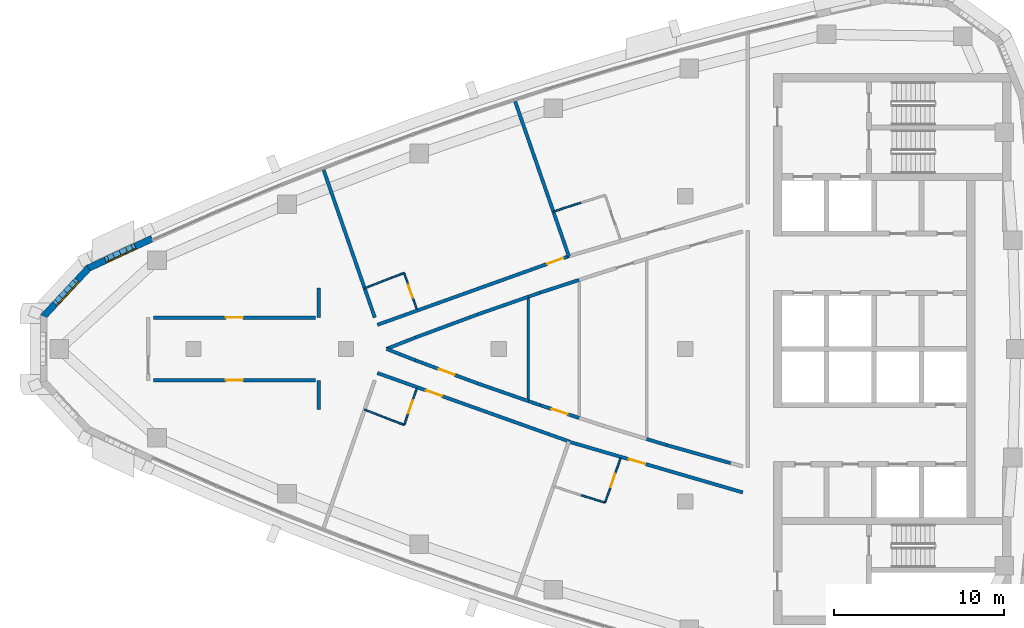
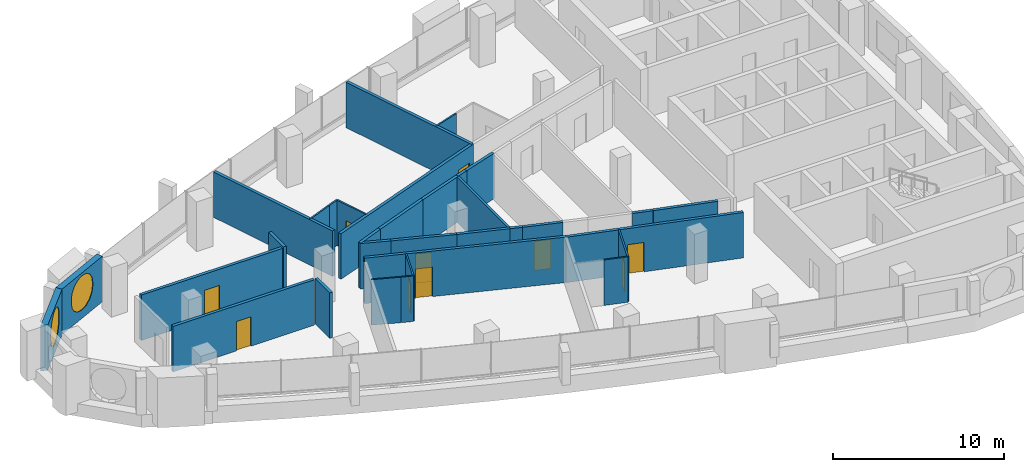
# One storey, part 7 of 14: 33 walls, 10 doors, 2 windows, 12 openings.
"""IFC4 building model written with IfcOpenShell, lengths in metres."""

from ifc_helpers import new_model, si_unit, direction, frame, frame_2d, origin, place, context, subcontext, project, spatial, polyline, rectangle, outline, extrude, material, layer, layer_set, type_object, element, fill, save


model = new_model("IFC4")

# Units and contexts
model_context = context("Model", 3, precision=1e-05, world=origin(), true_north=direction((0.0, 1.0)))
body_context = subcontext(model_context, "Body", "Model", "MODEL_VIEW")
ifc_project = project(units=[si_unit("LENGTHUNIT", "METRE"), si_unit("AREAUNIT", "SQUARE_METRE"), si_unit("VOLUMEUNIT", "CUBIC_METRE"), si_unit("PLANEANGLEUNIT", "RADIAN"), si_unit("MASSUNIT", "GRAM", prefix="KILO")], contexts=[model_context])

# Site, building, storey
site_placement = place(None, origin())
site = spatial("IfcSite", under=ifc_project, at=site_placement, CompositionType="ELEMENT")
building_placement = place(site_placement, origin())
building = spatial("IfcBuilding", under=site, at=building_placement, Name="Ostrand Prow Hotel Tower", CompositionType="ELEMENT")
storey_placement = place(building_placement, frame((0.0, 0.0, 275.0)))
storey = spatial("IfcBuildingStorey", under=building, at=storey_placement, Name="L69", CompositionType="ELEMENT", Elevation=275.0)

# Walls
ifc_material_1 = material(Name="Plasterboard partition")
ifc_layer_1 = layer(ifc_material_1, 0.10009765625)
ifc_layer_set_1 = layer_set([ifc_layer_1], Name="Plasterboard partition")
wall_type_1 = type_object("IfcWallType", Name="Partition 100 bathroom wall", PredefinedType="PARTITIONING", material=ifc_layer_set_1)
wall_1_placement = place(storey_placement, frame((26.095703125, 3.576171875, 0.0), z_axis=(0.0, 0.0, 1.0), x_axis=(0.930254925629, 0.366913850028, 0.0)))
element("IfcWall", 1, at=wall_1_placement, inside=storey, type_object=wall_type_1, Name="BATHROOM WALL", PredefinedType="PARTITIONING", context=body_context, shape_type="SweptSolid", body=[
    extrude(rectangle(XDim=1.760009765625, YDim=0.10009765625, at=frame_2d((0.8798828125, 0.0))), origin(), (0.0, 0.0, 1.0), 3.25),
])
wall_2_placement = place(storey_placement, frame((27.73291015625, 4.221923828125, 0.0), z_axis=(0.0, 0.0, 1.0), x_axis=(0.937514267289, 0.347946833049, 0.0)))
element("IfcWall", 2, at=wall_2_placement, inside=storey, type_object=wall_type_1, Name="BATHROOM WALL", PredefinedType="PARTITIONING", context=body_context, shape_type="SweptSolid", body=[
    extrude(rectangle(XDim=0.74169921875, YDim=0.10009765625, at=frame_2d((0.370849609375, 0.0))), origin(), (0.0, 0.0, 1.0), 3.25),
])

# Wall, opening, door
wall_3_placement = place(storey_placement, frame((28.42822265625, 4.47998046875, 0.0), z_axis=(0.0, 0.0, 1.0), x_axis=(0.327718024288, -0.944775579996, 0.0)))
wall_3 = element("IfcWall", 3, at=wall_3_placement, inside=storey, type_object=wall_type_1, Name="BATHROOM WALL", PredefinedType="PARTITIONING", context=body_context, shape_type="SweptSolid", body=[
    extrude(rectangle(XDim=2.27734375, YDim=0.10009765625, at=frame_2d((1.138671875, 0.0))), origin(), (0.0, 0.0, 1.0), 3.25),
])
opening_1_placement = place(wall_3_placement, frame((0.75, 0.0, 0.0)))
opening_1 = element("IfcOpeningElement", 4, at=opening_1_placement, cuts=wall_3, Name="Opening D2", PredefinedType="OPENING", context=body_context, shape_type="SweptSolid", body=[
    extrude(rectangle(XDim=0.800048828125, YDim=2.10009765625, at=frame_2d((0.39990234375, 1.050048828125))), frame((0.0, 0.06005859375, 0.0), z_axis=(0.0, -1.0, 0.0), x_axis=(1.0, 0.0, 0.0)), (0.0, 0.0, 1.0), 0.1201171875),
])
ifc_material_2 = material(Name="Timber door leaf", Category="wood")
door_type_1 = type_object("IfcDoorType", Name="Bathroom door 800", OperationType="SINGLE_SWING_LEFT", PredefinedType="DOOR", material=ifc_material_2)
door_1_placement = place(opening_1_placement, origin())
door_1 = element("IfcDoor", 5, at=door_1_placement, inside=storey, type_object=door_type_1, Name="DOOR", OperationType="SINGLE_SWING_LEFT", OverallHeight=2.10009765625, OverallWidth=0.800048828125, PredefinedType="DOOR", context=body_context, shape_type="SweptSolid", body=[
    extrude(rectangle(XDim=0.800048828125, YDim=2.10009765625, at=frame_2d((0.39990234375, 1.050048828125))), frame((0.0, 0.02490234375, 0.0), z_axis=(0.0, -1.0, 0.0), x_axis=(1.0, 0.0, 0.0)), (0.0, 0.0, 1.0), 0.050048828125),
])
fill(opening_1, door_1)

# Wall
wall_4_placement = place(storey_placement, frame((37.228515625, 8.09814453125, 0.0), z_axis=(0.0, 0.0, 1.0), x_axis=(0.950684866901, 0.31015848182, 0.0)))
element("IfcWall", 6, at=wall_4_placement, inside=storey, type_object=wall_type_1, Name="BATHROOM WALL", PredefinedType="PARTITIONING", context=body_context, shape_type="SweptSolid", body=[
    extrude(rectangle(XDim=1.739501953125, YDim=0.10009765625, at=frame_2d((0.86962890625, 0.0))), origin(), (0.0, 0.0, 1.0), 3.25),
])

# Wall, opening, door
wall_5_placement = place(storey_placement, frame((29.174560546875, -2.328369140625, 0.0), z_axis=(0.0, 0.0, 1.0), x_axis=(-0.327718024288, -0.944775579996, 0.0)))
wall_5 = element("IfcWall", 7, at=wall_5_placement, inside=storey, type_object=wall_type_1, Name="BATHROOM WALL", PredefinedType="PARTITIONING", context=body_context, shape_type="SweptSolid", body=[
    extrude(rectangle(XDim=2.27734375, YDim=0.10009765625, at=frame_2d((1.138671875, 0.0))), origin(), (0.0, 0.0, 1.0), 3.25),
])
opening_2_placement = place(wall_5_placement, frame((0.75, 0.0, 0.0)))
opening_2 = element("IfcOpeningElement", 8, at=opening_2_placement, cuts=wall_5, Name="Opening D2", PredefinedType="OPENING", context=body_context, shape_type="SweptSolid", body=[
    extrude(rectangle(XDim=0.800048828125, YDim=2.10009765625, at=frame_2d((0.39990234375, 1.050048828125))), frame((0.0, 0.06005859375, 0.0), z_axis=(0.0, -1.0, 0.0), x_axis=(1.0, 0.0, 0.0)), (0.0, 0.0, 1.0), 0.1201171875),
])
door_2_placement = place(opening_2_placement, origin())
door_2 = element("IfcDoor", 9, at=door_2_placement, inside=storey, type_object=door_type_1, Name="DOOR", OperationType="SINGLE_SWING_LEFT", OverallHeight=2.10009765625, OverallWidth=0.800048828125, PredefinedType="DOOR", context=body_context, shape_type="SweptSolid", body=[
    extrude(rectangle(XDim=0.800048828125, YDim=2.10009765625, at=frame_2d((0.39990234375, 1.050048828125))), frame((0.0, 0.02490234375, 0.0), z_axis=(0.0, -1.0, 0.0), x_axis=(1.0, 0.0, 0.0)), (0.0, 0.0, 1.0), 0.050048828125),
])
fill(opening_2, door_2)

# Walls
wall_6_placement = place(storey_placement, frame((28.42822265625, -4.47998046875, 0.0), z_axis=(0.0, 0.0, 1.0), x_axis=(-0.937514267289, 0.347946833049, 0.0)))
element("IfcWall", 10, at=wall_6_placement, inside=storey, type_object=wall_type_1, Name="BATHROOM WALL", PredefinedType="PARTITIONING", context=body_context, shape_type="SweptSolid", body=[
    extrude(rectangle(XDim=0.74169921875, YDim=0.10009765625, at=frame_2d((0.370849609375, 0.0))), origin(), (0.0, 0.0, 1.0), 3.25),
])
wall_7_placement = place(storey_placement, frame((27.73291015625, -4.221923828125, 0.0), z_axis=(0.0, 0.0, 1.0), x_axis=(-0.930254925629, 0.366913850028, 0.0)))
element("IfcWall", 11, at=wall_7_placement, inside=storey, type_object=wall_type_1, Name="BATHROOM WALL", PredefinedType="PARTITIONING", context=body_context, shape_type="SweptSolid", body=[
    extrude(rectangle(XDim=1.760009765625, YDim=0.10009765625, at=frame_2d((0.8798828125, 0.0))), origin(), (0.0, 0.0, 1.0), 3.25),
])

# Wall, opening, door
wall_8_placement = place(storey_placement, frame((41.191650390625, -6.437255859375, 0.0), z_axis=(0.0, 0.0, 1.0), x_axis=(-0.327695885805, -0.944783258968, 0.0)))
wall_8 = element("IfcWall", 12, at=wall_8_placement, inside=storey, type_object=wall_type_1, Name="BATHROOM WALL", PredefinedType="PARTITIONING", context=body_context, shape_type="SweptSolid", body=[
    extrude(rectangle(XDim=2.779052734375, YDim=0.10009765625, at=frame_2d((1.3896484375, 0.0))), origin(), (0.0, 0.0, 1.0), 3.25),
])
opening_3_placement = place(wall_8_placement, frame((1.0, 0.0, 0.0)))
opening_3 = element("IfcOpeningElement", 13, at=opening_3_placement, cuts=wall_8, Name="Opening D2", PredefinedType="OPENING", context=body_context, shape_type="SweptSolid", body=[
    extrude(rectangle(XDim=0.800048828125, YDim=2.10009765625, at=frame_2d((0.39990234375, 1.050048828125))), frame((0.0, 0.06005859375, 0.0), z_axis=(0.0, -1.0, 0.0), x_axis=(1.0, 0.0, 0.0)), (0.0, 0.0, 1.0), 0.1201171875),
])
door_3_placement = place(opening_3_placement, origin())
door_3 = element("IfcDoor", 14, at=door_3_placement, inside=storey, type_object=door_type_1, Name="DOOR", OperationType="SINGLE_SWING_LEFT", OverallHeight=2.10009765625, OverallWidth=0.800048828125, PredefinedType="DOOR", context=body_context, shape_type="SweptSolid", body=[
    extrude(rectangle(XDim=0.800048828125, YDim=2.10009765625, at=frame_2d((0.39990234375, 1.050048828125))), frame((0.0, 0.02490234375, 0.0), z_axis=(0.0, -1.0, 0.0), x_axis=(1.0, 0.0, 0.0)), (0.0, 0.0, 1.0), 0.050048828125),
])
fill(opening_3, door_3)

# Walls
wall_9_placement = place(storey_placement, frame((40.28076171875, -9.06298828125, 0.0), z_axis=(0.0, 0.0, 1.0), x_axis=(-0.956734544447, 0.290962216555, 0.0)))
element("IfcWall", 15, at=wall_9_placement, inside=storey, type_object=wall_type_1, Name="BATHROOM WALL", PredefinedType="PARTITIONING", context=body_context, shape_type="SweptSolid", body=[
    extrude(rectangle(XDim=1.461669921875, YDim=0.10009765625, at=frame_2d((0.73095703125, 0.0))), origin(), (0.0, 0.0, 1.0), 3.25),
])
ifc_material_3 = material(Name="Plasterboard partition")
ifc_layer_2 = layer(ifc_material_3, 0.14990234375)
ifc_layer_set_2 = layer_set([ifc_layer_2], Name="Plasterboard partition")
wall_type_2 = type_object("IfcWallType", Name="Partition 150 room partition", PredefinedType="PARTITIONING", material=ifc_layer_set_2)
wall_10_placement = place(storey_placement, frame((35.746337890625, -3.075927734375, 0.0), z_axis=(0.0, 0.0, 1.0), x_axis=(0.0, 1.0, 0.0)))
element("IfcWall", 16, at=wall_10_placement, inside=storey, type_object=wall_type_2, Name="ROOM PARTITION", PredefinedType="PARTITIONING", context=body_context, shape_type="SweptSolid", body=[
    extrude(rectangle(XDim=6.15185546875, YDim=0.14990234375, at=frame_2d((3.075927734375, 0.0))), origin(), (0.0, 0.0, 1.0), 3.25),
])

# Wall, opening, door
ifc_material_4 = material(Name="Plasterboard partition")
ifc_layer_3 = layer(ifc_material_4, 0.199951171875)
ifc_layer_set_3 = layer_set([ifc_layer_3], Name="Plasterboard partition")
wall_type_3 = type_object("IfcWallType", Name="Partition 200 corridor wall", PredefinedType="PARTITIONING", material=ifc_layer_set_3)
wall_11_placement = place(storey_placement, frame((13.63720703125, 1.85009765625, 0.0), z_axis=(0.0, 0.0, 1.0), x_axis=(1.0, 0.0, 0.0)))
wall_11 = element("IfcWall", 17, at=wall_11_placement, inside=storey, type_object=wall_type_3, Name="CORRIDOR WALL", PredefinedType="PARTITIONING", context=body_context, shape_type="SweptSolid", body=[
    extrude(rectangle(XDim=9.548583984375, YDim=0.199951171875, at=frame_2d((4.7744140625, 0.0))), origin(), (0.0, 0.0, 1.0), 3.25),
])
opening_4_placement = place(wall_11_placement, frame((4.2744140625, 0.0, 0.0)))
opening_4 = element("IfcOpeningElement", 18, at=opening_4_placement, cuts=wall_11, Name="Opening D1", PredefinedType="OPENING", context=body_context, shape_type="SweptSolid", body=[
    extrude(rectangle(XDim=1.0, YDim=2.10009765625, at=frame_2d((0.5, 1.050048828125))), frame((0.0, 0.10986328125, 0.0), z_axis=(0.0, -1.0, 0.0), x_axis=(1.0, 0.0, 0.0)), (0.0, 0.0, 1.0), 0.219970703125),
])
ifc_material_5 = material(Name="Timber door leaf", Category="wood")
door_type_2 = type_object("IfcDoorType", Name="Guest room door 1000", OperationType="SINGLE_SWING_LEFT", PredefinedType="DOOR", material=ifc_material_5)
door_4_placement = place(opening_4_placement, origin())
door_4 = element("IfcDoor", 19, at=door_4_placement, inside=storey, type_object=door_type_2, Name="DOOR", OperationType="SINGLE_SWING_LEFT", OverallHeight=2.10009765625, OverallWidth=1.0, PredefinedType="DOOR", context=body_context, shape_type="SweptSolid", body=[
    extrude(rectangle(XDim=1.0, YDim=2.10009765625, at=frame_2d((0.5, 1.050048828125))), frame((0.0, 0.02490234375, 0.0), z_axis=(0.0, -1.0, 0.0), x_axis=(1.0, 0.0, 0.0)), (0.0, 0.0, 1.0), 0.050048828125),
])
fill(opening_4, door_4)

wall_12_placement = place(storey_placement, frame((13.63720703125, -1.85009765625, 0.0), z_axis=(0.0, 0.0, 1.0), x_axis=(1.0, 0.0, 0.0)))
wall_12 = element("IfcWall", 20, at=wall_12_placement, inside=storey, type_object=wall_type_3, Name="CORRIDOR WALL", PredefinedType="PARTITIONING", context=body_context, shape_type="SweptSolid", body=[
    extrude(rectangle(XDim=9.548583984375, YDim=0.199951171875, at=frame_2d((4.7744140625, 0.0))), origin(), (0.0, 0.0, 1.0), 3.25),
])
opening_5_placement = place(wall_12_placement, frame((4.2744140625, 0.0, 0.0)))
opening_5 = element("IfcOpeningElement", 21, at=opening_5_placement, cuts=wall_12, Name="Opening D1R", PredefinedType="OPENING", context=body_context, shape_type="SweptSolid", body=[
    extrude(rectangle(XDim=1.0, YDim=2.10009765625, at=frame_2d((0.5, 1.050048828125))), frame((0.0, 0.10986328125, 0.0), z_axis=(0.0, -1.0, 0.0), x_axis=(1.0, 0.0, 0.0)), (0.0, 0.0, 1.0), 0.219970703125),
])
ifc_material_6 = material(Name="Timber door leaf", Category="wood")
door_type_3 = type_object("IfcDoorType", Name="Guest room door 1000 right", OperationType="SINGLE_SWING_RIGHT", PredefinedType="DOOR", material=ifc_material_6)
door_5_placement = place(opening_5_placement, origin())
door_5 = element("IfcDoor", 22, at=door_5_placement, inside=storey, type_object=door_type_3, Name="DOOR", OperationType="SINGLE_SWING_RIGHT", OverallHeight=2.10009765625, OverallWidth=1.0, PredefinedType="DOOR", context=body_context, shape_type="SweptSolid", body=[
    extrude(rectangle(XDim=1.0, YDim=2.10009765625, at=frame_2d((0.5, 1.050048828125))), frame((0.0, 0.02490234375, 0.0), z_axis=(0.0, -1.0, 0.0), x_axis=(1.0, 0.0, 0.0)), (0.0, 0.0, 1.0), 0.050048828125),
])
fill(opening_5, door_5)

wall_13_placement = place(storey_placement, frame((38.1396484375, 5.47119140625, 0.0), z_axis=(0.0, 0.0, 1.0), x_axis=(-0.94130914227, -0.337545698653, 0.0)))
wall_13 = element("IfcWall", 23, at=wall_13_placement, inside=storey, type_object=wall_type_3, Name="CORRIDOR WALL", PredefinedType="PARTITIONING", context=body_context, shape_type="SweptSolid", body=[
    extrude(rectangle(XDim=11.993408203125, YDim=0.199951171875, at=frame_2d((5.99658203125, 0.0))), origin(), (0.0, 0.0, 1.0), 3.25),
])
opening_6_placement = place(wall_13_placement, frame((0.35009765625, 0.0, 0.0)))
opening_6 = element("IfcOpeningElement", 24, at=opening_6_placement, cuts=wall_13, Name="Opening D1", PredefinedType="OPENING", context=body_context, shape_type="SweptSolid", body=[
    extrude(rectangle(XDim=1.0, YDim=2.10009765625, at=frame_2d((0.5, 1.050048828125))), frame((0.0, 0.10986328125, 0.0), z_axis=(0.0, -1.0, 0.0), x_axis=(1.0, 0.0, 0.0)), (0.0, 0.0, 1.0), 0.219970703125),
])
door_6_placement = place(opening_6_placement, origin())
door_6 = element("IfcDoor", 25, at=door_6_placement, inside=storey, type_object=door_type_2, Name="DOOR", OperationType="SINGLE_SWING_LEFT", OverallHeight=2.10009765625, OverallWidth=1.0, PredefinedType="DOOR", context=body_context, shape_type="SweptSolid", body=[
    extrude(rectangle(XDim=1.0, YDim=2.10009765625, at=frame_2d((0.5, 1.050048828125))), frame((0.0, 0.02490234375, 0.0), z_axis=(0.0, -1.0, 0.0), x_axis=(1.0, 0.0, 0.0)), (0.0, 0.0, 1.0), 0.050048828125),
])
fill(opening_6, door_6)

wall_14_placement = place(storey_placement, frame((26.85009765625, -1.4228515625, 0.0), z_axis=(0.0, 0.0, 1.0), x_axis=(0.941868496397, -0.335981748753, 0.0)))
wall_14 = element("IfcWall", 26, at=wall_14_placement, inside=storey, type_object=wall_type_3, Name="CORRIDOR WALL", PredefinedType="PARTITIONING", context=body_context, shape_type="SweptSolid", body=[
    extrude(rectangle(XDim=11.993408203125, YDim=0.199951171875, at=frame_2d((5.99658203125, 0.0))), origin(), (0.0, 0.0, 1.0), 3.25),
])
opening_7_placement = place(wall_14_placement, frame((3.050048828125, 0.0, 0.0)))
opening_7 = element("IfcOpeningElement", 27, at=opening_7_placement, cuts=wall_14, Name="Opening D1", PredefinedType="OPENING", context=body_context, shape_type="SweptSolid", body=[
    extrude(rectangle(XDim=1.0, YDim=2.10009765625, at=frame_2d((0.5, 1.050048828125))), frame((0.0, 0.10986328125, 0.0), z_axis=(0.0, -1.0, 0.0), x_axis=(1.0, 0.0, 0.0)), (0.0, 0.0, 1.0), 0.219970703125),
])
door_7_placement = place(opening_7_placement, origin())
door_7 = element("IfcDoor", 28, at=door_7_placement, inside=storey, type_object=door_type_2, Name="DOOR", OperationType="SINGLE_SWING_LEFT", OverallHeight=2.10009765625, OverallWidth=1.0, PredefinedType="DOOR", context=body_context, shape_type="SweptSolid", body=[
    extrude(rectangle(XDim=1.0, YDim=2.10009765625, at=frame_2d((0.5, 1.050048828125))), frame((0.0, 0.02490234375, 0.0), z_axis=(0.0, -1.0, 0.0), x_axis=(1.0, 0.0, 0.0)), (0.0, 0.0, 1.0), 0.050048828125),
])
fill(opening_7, door_7)

wall_15_placement = place(storey_placement, frame((32.759765625, -2.034912109375, 0.0), z_axis=(0.0, 0.0, 1.0), x_axis=(-0.937460178932, 0.348092534992, 0.0)))
wall_15 = element("IfcWall", 29, at=wall_15_placement, inside=storey, type_object=wall_type_3, Name="CORRIDOR WALL", PredefinedType="PARTITIONING", context=body_context, shape_type="SweptSolid", body=[
    extrude(rectangle(XDim=3.912841796875, YDim=0.199951171875, at=frame_2d((1.95654296875, 0.0))), origin(), (0.0, 0.0, 1.0), 3.25),
])
opening_8_placement = place(wall_15_placement, frame((1.45654296875, 0.0, 0.0)))
opening_8 = element("IfcOpeningElement", 30, at=opening_8_placement, cuts=wall_15, Name="Opening D1R", PredefinedType="OPENING", context=body_context, shape_type="SweptSolid", body=[
    extrude(rectangle(XDim=1.0, YDim=2.10009765625, at=frame_2d((0.5, 1.050048828125))), frame((0.0, 0.10986328125, 0.0), z_axis=(0.0, -1.0, 0.0), x_axis=(1.0, 0.0, 0.0)), (0.0, 0.0, 1.0), 0.219970703125),
])
door_8_placement = place(opening_8_placement, origin())
door_8 = element("IfcDoor", 31, at=door_8_placement, inside=storey, type_object=door_type_3, Name="DOOR", OperationType="SINGLE_SWING_RIGHT", OverallHeight=2.10009765625, OverallWidth=1.0, PredefinedType="DOOR", context=body_context, shape_type="SweptSolid", body=[
    extrude(rectangle(XDim=1.0, YDim=2.10009765625, at=frame_2d((0.5, 1.050048828125))), frame((0.0, 0.02490234375, 0.0), z_axis=(0.0, -1.0, 0.0), x_axis=(1.0, 0.0, 0.0)), (0.0, 0.0, 1.0), 0.050048828125),
])
fill(opening_8, door_8)

# Walls
for number, where, z_axis, x_axis, name in (
    (32, (29.091552734375, -0.6728515625, 0.0), (0.0, 0.0, 1.0), (-0.930265251482, 0.366887669302, 0.0), "CORRIDOR WALL"),
    (33, (27.385498046875, 0.0, 0.0), (0.0, 0.0, 1.0), (0.930265251482, 0.366887669302, 0.0), "CORRIDOR WALL"),
):
    element("IfcWall", number, at=place(storey_placement, frame(where, z_axis=z_axis, x_axis=x_axis)), inside=storey, type_object=wall_type_3, Name=name, PredefinedType="PARTITIONING", context=body_context, shape_type="SweptSolid", body=[
        extrude(rectangle(XDim=1.833984375, YDim=0.199951171875, at=frame_2d((0.9169921875, 0.0))), origin(), (0.0, 0.0, 1.0), 3.25),
    ])
wall_16_placement = place(storey_placement, frame((29.091552734375, 0.6728515625, 0.0), z_axis=(0.0, 0.0, 1.0), x_axis=(0.937460178932, 0.348092534992, 0.0)))
element("IfcWall", 34, at=wall_16_placement, inside=storey, type_object=wall_type_3, Name="CORRIDOR WALL", PredefinedType="PARTITIONING", context=body_context, shape_type="SweptSolid", body=[
    extrude(rectangle(XDim=3.912841796875, YDim=0.199951171875, at=frame_2d((1.95654296875, 0.0))), origin(), (0.0, 0.0, 1.0), 3.25),
])
for number, where, z_axis, x_axis, name in (
    (35, (32.759765625, 2.034912109375, 0.0), (0.0, 0.0, 1.0), (0.944279987428, 0.329143289986, 0.0), "CORRIDOR WALL"),
    (36, (35.746337890625, -3.075927734375, 0.0), (0.0, 0.0, 1.0), (-0.944279987428, 0.329143289986, 0.0), "CORRIDOR WALL"),
):
    element("IfcWall", number, at=place(storey_placement, frame(where, z_axis=z_axis, x_axis=x_axis)), inside=storey, type_object=wall_type_3, Name=name, PredefinedType="PARTITIONING", context=body_context, shape_type="SweptSolid", body=[
        extrude(rectangle(XDim=3.162841796875, YDim=0.199951171875, at=frame_2d((1.58154296875, 0.0))), origin(), (0.0, 0.0, 1.0), 3.25),
    ])

# Wall, opening, door
wall_17_placement = place(storey_placement, frame((38.746337890625, -4.0703125, 0.0), z_axis=(0.0, 0.0, 1.0), x_axis=(-0.950699334583, 0.310114132576, 0.0)))
wall_17 = element("IfcWall", 37, at=wall_17_placement, inside=storey, type_object=wall_type_3, Name="CORRIDOR WALL", PredefinedType="PARTITIONING", context=body_context, shape_type="SweptSolid", body=[
    extrude(rectangle(XDim=2.41064453125, YDim=0.199951171875, at=frame_2d((1.205322265625, 0.0))), origin(), (0.0, 0.0, 1.0), 3.25),
])
opening_9_placement = place(wall_17_placement, frame((0.705322265625, 0.0, 0.0)))
opening_9 = element("IfcOpeningElement", 38, at=opening_9_placement, cuts=wall_17, Name="Opening D1", PredefinedType="OPENING", context=body_context, shape_type="SweptSolid", body=[
    extrude(rectangle(XDim=1.0, YDim=2.10009765625, at=frame_2d((0.5, 1.050048828125))), frame((0.0, 0.10986328125, 0.0), z_axis=(0.0, -1.0, 0.0), x_axis=(1.0, 0.0, 0.0)), (0.0, 0.0, 1.0), 0.219970703125),
])
door_9_placement = place(opening_9_placement, origin())
door_9 = element("IfcDoor", 39, at=door_9_placement, inside=storey, type_object=door_type_2, Name="DOOR", OperationType="SINGLE_SWING_LEFT", OverallHeight=2.10009765625, OverallWidth=1.0, PredefinedType="DOOR", context=body_context, shape_type="SweptSolid", body=[
    extrude(rectangle(XDim=1.0, YDim=2.10009765625, at=frame_2d((0.5, 1.050048828125))), frame((0.0, 0.02490234375, 0.0), z_axis=(0.0, -1.0, 0.0), x_axis=(1.0, 0.0, 0.0)), (0.0, 0.0, 1.0), 0.050048828125),
])
fill(opening_9, door_9)

# Walls
for number, where, z_axis, x_axis, name in (
    (40, (36.45458984375, -3.32275390625, 0.0), (0.0, 0.0, 1.0), (-0.944299015519, 0.329088695171, 0.0), "CORRIDOR WALL"),
    (41, (35.746337890625, 3.075927734375, 0.0), (0.0, 0.0, 1.0), (0.944299015519, 0.329088695171, 0.0), "CORRIDOR WALL"),
):
    element("IfcWall", number, at=place(storey_placement, frame(where, z_axis=z_axis, x_axis=x_axis)), inside=storey, type_object=wall_type_3, Name=name, PredefinedType="PARTITIONING", context=body_context, shape_type="SweptSolid", body=[
        extrude(rectangle(XDim=0.75, YDim=0.199951171875, at=frame_2d((0.375, 0.0))), origin(), (0.0, 0.0, 1.0), 3.25),
    ])
wall_18_placement = place(storey_placement, frame((36.45458984375, 3.32275390625, 0.0), z_axis=(0.0, 0.0, 1.0), x_axis=(0.950699334583, 0.310114132576, 0.0)))
element("IfcWall", 42, at=wall_18_placement, inside=storey, type_object=wall_type_3, Name="CORRIDOR WALL", PredefinedType="PARTITIONING", context=body_context, shape_type="SweptSolid", body=[
    extrude(rectangle(XDim=2.41064453125, YDim=0.199951171875, at=frame_2d((1.205322265625, 0.0))), origin(), (0.0, 0.0, 1.0), 3.25),
])
wall_19_placement = place(storey_placement, frame((47.684326171875, -6.737548828125, 0.0), z_axis=(0.0, 0.0, 1.0), x_axis=(-0.962411212211, 0.271596499628, 0.0)))
element("IfcWall", 43, at=wall_19_placement, inside=storey, type_object=wall_type_3, Name="CORRIDOR WALL", PredefinedType="PARTITIONING", context=body_context, shape_type="SweptSolid", body=[
    extrude(rectangle(XDim=3.912841796875, YDim=0.199951171875, at=frame_2d((1.95654296875, 0.0))), origin(), (0.0, 0.0, 1.0), 3.25),
])
wall_20_placement = place(storey_placement, frame((43.91845703125, -5.6748046875, 0.0), z_axis=(0.0, 0.0, 1.0), x_axis=(-0.956690508666, 0.291106974546, 0.0)))
element("IfcWall", 44, at=wall_20_placement, inside=storey, type_object=wall_type_3, Name="CORRIDOR WALL", PredefinedType="PARTITIONING", context=body_context, shape_type="SweptSolid", body=[
    extrude(rectangle(XDim=1.24462890625, YDim=0.199951171875, at=frame_2d((0.622314453125, 0.0))), origin(), (0.0, 0.0, 1.0), 3.25),
])

# Wall, opening, door
wall_21_placement = place(storey_placement, frame((38.1396484375, -5.47119140625, 0.0), z_axis=(0.0, 0.0, 1.0), x_axis=(0.95996673497, -0.280114026339, 0.0)))
wall_21 = element("IfcWall", 45, at=wall_21_placement, inside=storey, type_object=wall_type_3, Name="CORRIDOR WALL", PredefinedType="PARTITIONING", context=body_context, shape_type="SweptSolid", body=[
    extrude(rectangle(XDim=10.688232421875, YDim=0.199951171875, at=frame_2d((5.34423828125, 0.0))), origin(), (0.0, 0.0, 1.0), 3.25),
])
opening_10_placement = place(wall_21_placement, frame((3.699951171875, 0.0, 0.0)))
opening_10 = element("IfcOpeningElement", 46, at=opening_10_placement, cuts=wall_21, Name="Opening D1", PredefinedType="OPENING", context=body_context, shape_type="SweptSolid", body=[
    extrude(rectangle(XDim=1.0, YDim=2.10009765625, at=frame_2d((0.5, 1.050048828125))), frame((0.0, 0.10986328125, 0.0), z_axis=(0.0, -1.0, 0.0), x_axis=(1.0, 0.0, 0.0)), (0.0, 0.0, 1.0), 0.219970703125),
])
door_10_placement = place(opening_10_placement, origin())
door_10 = element("IfcDoor", 47, at=door_10_placement, inside=storey, type_object=door_type_2, Name="DOOR", OperationType="SINGLE_SWING_LEFT", OverallHeight=2.10009765625, OverallWidth=1.0, PredefinedType="DOOR", context=body_context, shape_type="SweptSolid", body=[
    extrude(rectangle(XDim=1.0, YDim=2.10009765625, at=frame_2d((0.5, 1.050048828125))), frame((0.0, 0.02490234375, 0.0), z_axis=(0.0, -1.0, 0.0), x_axis=(1.0, 0.0, 0.0)), (0.0, 0.0, 1.0), 0.050048828125),
])
fill(opening_10, door_10)

# Walls
wall_22_placement = place(storey_placement, frame((23.3857421875, 3.580322265625, 0.0), z_axis=(0.0, 0.0, 1.0), x_axis=(0.0, -1.0, 0.0)))
element("IfcWall", 48, at=wall_22_placement, inside=storey, type_object=wall_type_3, Name="CORRIDOR WALL", PredefinedType="PARTITIONING", context=body_context, shape_type="SweptSolid", body=[
    extrude(rectangle(XDim=1.725341796875, YDim=0.199951171875, at=frame_2d((0.86279296875, 0.0))), origin(), (0.0, 0.0, 1.0), 3.25),
])
wall_23_placement = place(storey_placement, frame((23.3857421875, -1.85498046875, 0.0), z_axis=(0.0, 0.0, 1.0), x_axis=(0.0, -1.0, 0.0)))
element("IfcWall", 49, at=wall_23_placement, inside=storey, type_object=wall_type_3, Name="CORRIDOR WALL", PredefinedType="PARTITIONING", context=body_context, shape_type="SweptSolid", body=[
    extrude(rectangle(XDim=1.71533203125, YDim=0.199951171875, at=frame_2d((0.857666015625, 0.0))), origin(), (0.0, 0.0, 1.0), 3.25),
])
ifc_material_7 = material(Name="Plasterboard partition")
ifc_layer_4 = layer(ifc_material_7, 0.199951171875)
ifc_layer_set_4 = layer_set([ifc_layer_4], Name="Plasterboard partition")
wall_type_4 = type_object("IfcWallType", Name="Partition 200 key partition", PredefinedType="PARTITIONING", material=ifc_layer_set_4)
wall_24_placement = place(storey_placement, frame((26.6943359375, 1.85009765625, 0.0), z_axis=(0.0, 0.0, 1.0), x_axis=(-0.327714422317, 0.944776829418, 0.0)))
element("IfcWall", 50, at=wall_24_placement, inside=storey, type_object=wall_type_4, Name="KEY PARTITION", PredefinedType="PARTITIONING", context=body_context, shape_type="SweptSolid", body=[
    extrude(rectangle(XDim=9.2333984375, YDim=0.199951171875, at=frame_2d((4.61669921875, 0.0))), origin(), (0.0, 0.0, 1.0), 3.25),
])
wall_25_placement = place(storey_placement, frame((38.146240234375, 5.452392578125, 0.0), z_axis=(0.0, 0.0, 1.0), x_axis=(-0.327725028322, 0.94477315045, 0.0)))
element("IfcWall", 51, at=wall_25_placement, inside=storey, type_object=wall_type_4, Name="KEY PARTITION", PredefinedType="PARTITIONING", context=body_context, shape_type="SweptSolid", body=[
    extrude(rectangle(XDim=9.70166015625, YDim=0.199951171875, at=frame_2d((4.850830078125, 0.0))), origin(), (0.0, 0.0, 1.0), 3.25),
])

# Wall, opening, window
ifc_material_8 = material(Name="Precast concrete C40/50", Category="concrete")
ifc_layer_5 = layer(ifc_material_8, 0.39990234375)
ifc_layer_set_5 = layer_set([ifc_layer_5], Name="Precast concrete C40/50")
wall_type_5 = type_object("IfcWallType", Name="Stone-faced precast wall 400 mm", PredefinedType="NOTDEFINED", material=ifc_layer_set_5)
wall_26_placement = place(storey_placement, frame((13.55859375, 6.5146484375, 0.0), z_axis=(0.0, 0.0, 1.0), x_axis=(-0.906485602396, -0.42223672584, 0.0)))
wall_26 = element("IfcWall", 52, at=wall_26_placement, inside=storey, type_object=wall_type_5, Name="Stone-faced wall prow 1", PredefinedType="NOTDEFINED", context=body_context, shape_type="SweptSolid", body=[
    extrude(outline(polyline([(0.0, -0.199951171875), (4.1806640625, -0.199951171875), (4.1025390625, 0.199951171875), (0.0, 0.199951171875), (0.0, -0.199951171875)])), origin(), (0.0, 0.0, 1.0), 3.25),
])
opening_11_placement = place(wall_26_placement, frame((0.970947265625, 0.0, 0.60009765625)))
opening_11 = element("IfcOpeningElement", 53, at=opening_11_placement, cuts=wall_26, Name="Opening WP2", PredefinedType="OPENING", context=body_context, shape_type="SweptSolid", body=[
    extrude(outline(polyline([(0.0, 1.35009765625), (0.083740234375, 1.77099609375), (0.322265625, 2.127685546875), (0.678955078125, 2.3662109375), (1.10009765625, 2.449951171875), (1.52099609375, 2.3662109375), (1.877685546875, 2.127685546875), (2.1162109375, 1.77099609375), (2.199951171875, 1.35009765625), (2.199951171875, 1.10009765625), (2.1162109375, 0.678955078125), (1.877685546875, 0.322265625), (1.52099609375, 0.083740234375), (1.10009765625, 0.0), (0.678955078125, 0.083740234375), (0.322265625, 0.322265625), (0.083740234375, 0.678955078125), (0.0, 1.099853515625), (0.0, 1.35009765625)])), frame((0.0, 0.2099609375, 0.0), z_axis=(0.0, -1.0, 0.0), x_axis=(1.0, 0.0, 0.0)), (0.0, 0.0, 1.0), 0.419921875),
])
ifc_material_9 = material(Name="Insulated glass in bronze frame", Category="glass")
window_type = type_object("IfcWindowType", Name="Round-ended prow lounge window 2200x2450", PartitioningType="SINGLE_PANEL", PredefinedType="WINDOW", material=ifc_material_9)
window_1_placement = place(opening_11_placement, origin())
window_1 = element("IfcWindow", 54, at=window_1_placement, inside=storey, type_object=window_type, Name="Window prow 1.1", OverallHeight=2.449951171875, OverallWidth=2.199951171875, PartitioningType="SINGLE_PANEL", PredefinedType="WINDOW", context=body_context, shape_type="SweptSolid", body=[
    extrude(outline(polyline([(0.0, 1.35009765625), (0.083740234375, 1.77099609375), (0.322265625, 2.127685546875), (0.678955078125, 2.3662109375), (1.10009765625, 2.449951171875), (1.52099609375, 2.3662109375), (1.877685546875, 2.127685546875), (2.1162109375, 1.77099609375), (2.199951171875, 1.35009765625), (2.199951171875, 1.10009765625), (2.1162109375, 0.678955078125), (1.877685546875, 0.322265625), (1.52099609375, 0.083740234375), (1.10009765625, 0.0), (0.678955078125, 0.083740234375), (0.322265625, 0.322265625), (0.083740234375, 0.678955078125), (0.0, 1.099853515625), (0.0, 1.35009765625)])), frame((0.0, 0.169921875, 0.0), z_axis=(0.0, -1.0, 0.0), x_axis=(1.0, 0.0, 0.0)), (0.0, 0.0, 1.0), 0.06005859375),
])
fill(opening_11, window_1)

wall_27_placement = place(storey_placement, frame((9.80419921875, 4.765869140625, 0.0), z_axis=(0.0, 0.0, 1.0), x_axis=(-0.6815467277, -0.73177459505, 0.0)))
wall_27 = element("IfcWall", 55, at=wall_27_placement, inside=storey, type_object=wall_type_5, Name="Stone-faced wall prow 2", PredefinedType="NOTDEFINED", context=body_context, shape_type="SweptSolid", body=[
    extrude(outline(polyline([(-0.0390625, -0.199951171875), (3.94775390625, -0.199951171875), (3.79052734375, 0.199951171875), (0.0390625, 0.199951171875), (-0.0390625, -0.199951171875)])), origin(), (0.0, 0.0, 1.0), 3.25),
])
opening_12_placement = place(wall_27_placement, frame((0.834716796875, 0.0, 0.60009765625)))
opening_12 = element("IfcOpeningElement", 56, at=opening_12_placement, cuts=wall_27, Name="Opening WP2", PredefinedType="OPENING", context=body_context, shape_type="SweptSolid", body=[
    extrude(outline(polyline([(0.0, 1.35009765625), (0.083740234375, 1.77099609375), (0.322265625, 2.127685546875), (0.678955078125, 2.3662109375), (1.10009765625, 2.449951171875), (1.52099609375, 2.3662109375), (1.877685546875, 2.127685546875), (2.1162109375, 1.77099609375), (2.199951171875, 1.35009765625), (2.199951171875, 1.10009765625), (2.1162109375, 0.678955078125), (1.877685546875, 0.322265625), (1.52099609375, 0.083740234375), (1.10009765625, 0.0), (0.678955078125, 0.083740234375), (0.322265625, 0.322265625), (0.083740234375, 0.678955078125), (0.0, 1.099853515625), (0.0, 1.35009765625)])), frame((0.0, 0.2099609375, 0.0), z_axis=(0.0, -1.0, 0.0), x_axis=(1.0, 0.0, 0.0)), (0.0, 0.0, 1.0), 0.419921875),
])
window_2_placement = place(opening_12_placement, origin())
window_2 = element("IfcWindow", 57, at=window_2_placement, inside=storey, type_object=window_type, Name="Window prow 2.1", OverallHeight=2.449951171875, OverallWidth=2.199951171875, PartitioningType="SINGLE_PANEL", PredefinedType="WINDOW", context=body_context, shape_type="SweptSolid", body=[
    extrude(outline(polyline([(0.0, 1.35009765625), (0.083740234375, 1.77099609375), (0.322265625, 2.127685546875), (0.678955078125, 2.3662109375), (1.10009765625, 2.449951171875), (1.52099609375, 2.3662109375), (1.877685546875, 2.127685546875), (2.1162109375, 1.77099609375), (2.199951171875, 1.35009765625), (2.199951171875, 1.10009765625), (2.1162109375, 0.678955078125), (1.877685546875, 0.322265625), (1.52099609375, 0.083740234375), (1.10009765625, 0.0), (0.678955078125, 0.083740234375), (0.322265625, 0.322265625), (0.083740234375, 0.678955078125), (0.0, 1.099853515625), (0.0, 1.35009765625)])), frame((0.0, 0.169921875, 0.0), z_axis=(0.0, -1.0, 0.0), x_axis=(1.0, 0.0, 0.0)), (0.0, 0.0, 1.0), 0.06005859375),
])
fill(opening_12, window_2)

save(model, "model.ifc")
